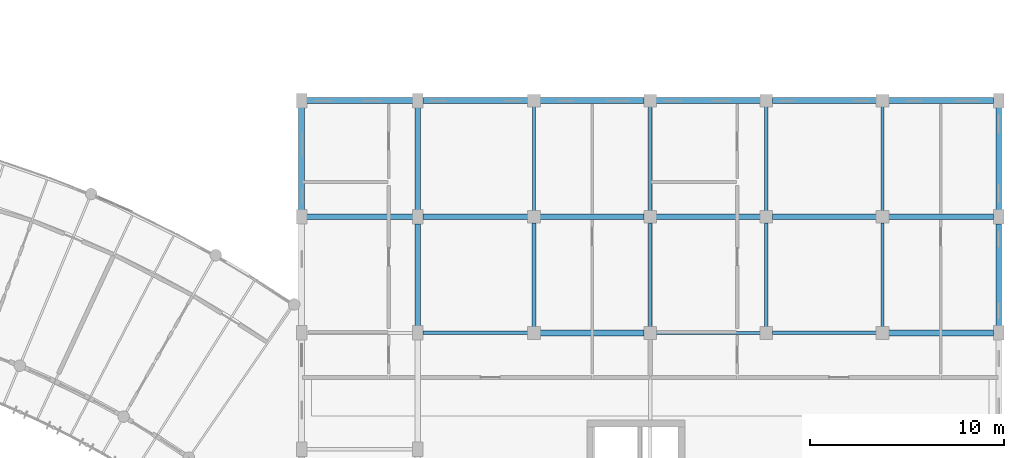
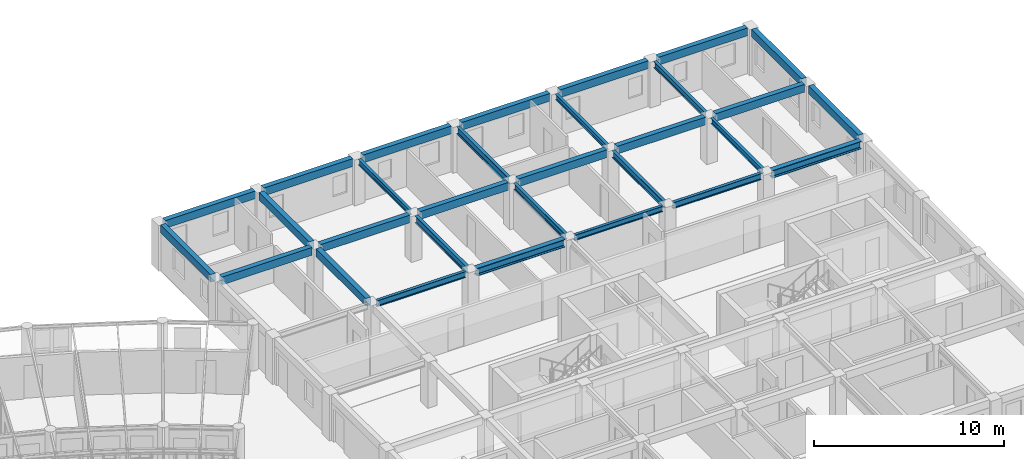
# One storey, part 41 of 100: 30 beams.
"""IFC4 building model written with IfcOpenShell, lengths in metres."""

from ifc_helpers import new_model, si_unit, direction, frame, origin, origin_2d, place, context, subcontext, project, spatial, rectangle, i_section, extrude, material, material_profile, profile_set, type_object, element, save


model = new_model("IFC4")

# Units and contexts
model_context = context("Model", 3, precision=1e-05, world=origin(), true_north=direction((0.0, 1.0)))
body_context = subcontext(model_context, "Body", "Model", "MODEL_VIEW")
ifc_project = project(units=[si_unit("LENGTHUNIT", "METRE"), si_unit("AREAUNIT", "SQUARE_METRE"), si_unit("VOLUMEUNIT", "CUBIC_METRE"), si_unit("PLANEANGLEUNIT", "RADIAN"), si_unit("MASSUNIT", "GRAM", prefix="KILO"), si_unit("POWERUNIT", "WATT"), si_unit("THERMODYNAMICTEMPERATUREUNIT", "KELVIN")], contexts=[model_context])

# Site, building, storey
site_placement = place(None, origin())
site = spatial("IfcSite", under=ifc_project, at=site_placement, CompositionType="ELEMENT")
building_placement = place(site_placement, origin())
building = spatial("IfcBuilding", under=site, at=building_placement, Name="Ruvembo Vaulted Housing Court", CompositionType="ELEMENT")
storey_placement = place(building_placement, frame((0.0, 0.0, 14.10009765625)))
storey = spatial("IfcBuildingStorey", under=building, at=storey_placement, Name="L04", CompositionType="ELEMENT", Elevation=14.10009765625)

# Beams
ifc_material_1 = material(Name="Steel S355J2", Category="steel")
ifc_material_profile_1 = material_profile(ifc_material_1, i_section(OverallWidth=0.300048828125, OverallDepth=0.5, WebThickness=0.014404296875, FlangeThickness=0.028076171875, FilletRadius=0.027099609375, at=origin_2d()), Name="HEB 320")
ifc_profile_set_1 = profile_set([ifc_material_profile_1], Name="Steel S355J2")
beam_type_1 = type_object("IfcBeamType", Name="BM-ST-HEB320", PredefinedType="BEAM", material=ifc_profile_set_1)
beam_1_placement = place(storey_placement, frame((162.31005859375, 96.0, 2.67578125), z_axis=(1.0, 0.0, 0.0), x_axis=(0.0, 1.0, 0.0)))
element("IfcBeam", 1, at=beam_1_placement, inside=storey, type_object=beam_type_1, Name="L04 Grid Beam X #2111", PredefinedType="BEAM", context=body_context, shape_type="SweptSolid", body=[
    extrude(i_section(OverallWidth=0.300048828125, OverallDepth=0.5, WebThickness=0.014404296875, FlangeThickness=0.028076171875, FilletRadius=0.027099609375, at=origin_2d()), origin(), (0.0, 0.0, 1.0), 5.3798828125),
])
beam_2_placement = place(storey_placement, frame((180.31005859375, 96.0, 2.67578125), z_axis=(1.0, 0.0, 0.0), x_axis=(0.0, 1.0, 0.0)))
element("IfcBeam", 2, at=beam_2_placement, inside=storey, type_object=beam_type_1, Name="L04 Grid Beam X #2114", PredefinedType="BEAM", context=body_context, shape_type="SweptSolid", body=[
    extrude(i_section(OverallWidth=0.300048828125, OverallDepth=0.5, WebThickness=0.014404296875, FlangeThickness=0.028076171875, FilletRadius=0.027099609375, at=origin_2d()), origin(), (0.0, 0.0, 1.0), 5.429931640625),
])
ifc_material_profile_2 = material_profile(ifc_material_1, i_section(OverallWidth=0.169921875, OverallDepth=0.360107421875, WebThickness=0.008056640625, FlangeThickness=0.0126953125, FilletRadius=0.01806640625, at=origin_2d()), Name="IPE 360")
ifc_profile_set_2 = profile_set([ifc_material_profile_2], Name="Steel S355J2")
beam_type_2 = type_object("IfcBeamType", Name="BM-ST-IPE360", PredefinedType="BEAM", material=ifc_profile_set_2)
for number, where, z_axis, x_axis, name in (
    (3, (168.31005859375, 96.0, 2.745849609375), (1.0, 0.0, 0.0), (0.0, 1.0, 0.0), "L04 Grid Beam X #2112"),
    (4, (162.0, 102.31005859375, 2.745849609375), (0.0, 1.0, 0.0), (-1.0, 0.0, 0.0), "L04 Grid Beam Y #2265"),
    (5, (174.0, 102.31005859375, 2.745849609375), (0.0, 1.0, 0.0), (-1.0, 0.0, 0.0), "L04 Grid Beam Y #2274"),
    (6, (180.0, 96.31005859375, 2.745849609375), (0.0, 1.0, 0.0), (-1.0, 0.0, 0.0), "L04 Grid Beam Y #2277"),
):
    element("IfcBeam", number, at=place(storey_placement, frame(where, z_axis=z_axis, x_axis=x_axis)), inside=storey, type_object=beam_type_2, Name=name, PredefinedType="BEAM", context=body_context, shape_type="SweptSolid", body=[
        extrude(i_section(OverallWidth=0.169921875, OverallDepth=0.360107421875, WebThickness=0.008056640625, FlangeThickness=0.0126953125, FilletRadius=0.01806640625, at=origin_2d()), origin(), (0.0, 0.0, 1.0), 5.3798828125),
    ])
ifc_material_profile_3 = material_profile(ifc_material_1, i_section(OverallWidth=0.179931640625, OverallDepth=0.39990234375, WebThickness=0.008544921875, FlangeThickness=0.013427734375, FilletRadius=0.02099609375, at=origin_2d()), Name="IPE 400")
ifc_profile_set_3 = profile_set([ifc_material_profile_3], Name="Steel S355J2")
beam_type_3 = type_object("IfcBeamType", Name="BM-ST-IPE400", PredefinedType="BEAM", material=ifc_profile_set_3)
beam_3_placement = place(storey_placement, frame((156.260009765625, 96.0, 2.725830078125), z_axis=(1.0, 0.0, 0.0), x_axis=(0.0, 1.0, 0.0)))
element("IfcBeam", 7, at=beam_3_placement, inside=storey, type_object=beam_type_3, Name="L04 Grid Beam X #2110", PredefinedType="BEAM", context=body_context, shape_type="SweptSolid", body=[
    extrude(i_section(OverallWidth=0.179931640625, OverallDepth=0.39990234375, WebThickness=0.008544921875, FlangeThickness=0.013427734375, FilletRadius=0.02099609375, at=origin_2d()), origin(), (0.0, 0.0, 1.0), 5.429931640625),
])
for number, where, z_axis, x_axis, name in (
    (8, (174.31005859375, 96.0, 2.725830078125), (1.0, 0.0, 0.0), (0.0, 1.0, 0.0), "L04 Grid Beam X #2113"),
    (9, (168.0, 96.31005859375, 2.725830078125), (0.0, 1.0, 0.0), (-1.0, 0.0, 0.0), "L04 Grid Beam Y #2269"),
    (10, (180.0, 102.31005859375, 2.725830078125), (0.0, 1.0, 0.0), (-1.0, 0.0, 0.0), "L04 Grid Beam Y #2278"),
):
    element("IfcBeam", number, at=place(storey_placement, frame(where, z_axis=z_axis, x_axis=x_axis)), inside=storey, type_object=beam_type_3, Name=name, PredefinedType="BEAM", context=body_context, shape_type="SweptSolid", body=[
        extrude(i_section(OverallWidth=0.179931640625, OverallDepth=0.39990234375, WebThickness=0.008544921875, FlangeThickness=0.013427734375, FilletRadius=0.02099609375, at=origin_2d()), origin(), (0.0, 0.0, 1.0), 5.3798828125),
    ])
ifc_material_profile_4 = material_profile(ifc_material_1, i_section(OverallWidth=0.18994140625, OverallDepth=0.449951171875, WebThickness=0.009521484375, FlangeThickness=0.0146484375, FilletRadius=0.02099609375, at=origin_2d()), Name="IPE 450")
ifc_profile_set_4 = profile_set([ifc_material_profile_4], Name="Steel S355J2")
beam_type_4 = type_object("IfcBeamType", Name="BM-ST-IPE450", PredefinedType="BEAM", material=ifc_profile_set_4)
for number, where, z_axis, x_axis, name in (
    (11, (162.0, 96.31005859375, 2.700927734375), (0.0, 1.0, 0.0), (-1.0, 0.0, 0.0), "L04 Grid Beam Y #2264"),
    (12, (168.0, 102.31005859375, 2.700927734375), (0.0, 1.0, 0.0), (-1.0, 0.0, 0.0), "L04 Grid Beam Y #2270"),
    (13, (174.0, 96.31005859375, 2.700927734375), (0.0, 1.0, 0.0), (-1.0, 0.0, 0.0), "L04 Grid Beam Y #2273"),
):
    element("IfcBeam", number, at=place(storey_placement, frame(where, z_axis=z_axis, x_axis=x_axis)), inside=storey, type_object=beam_type_4, Name=name, PredefinedType="BEAM", context=body_context, shape_type="SweptSolid", body=[
        extrude(i_section(OverallWidth=0.18994140625, OverallDepth=0.449951171875, WebThickness=0.009521484375, FlangeThickness=0.0146484375, FilletRadius=0.02099609375, at=origin_2d()), origin(), (0.0, 0.0, 1.0), 5.3798828125),
    ])
ifc_material_2 = material(Name="Concrete C35/45", Category="concrete")
ifc_material_profile_5 = material_profile(ifc_material_2, rectangle(XDim=0.300048828125, YDim=0.5, at=origin_2d()), Name="RC 300x500")
ifc_profile_set_5 = profile_set([ifc_material_profile_5], Name="Concrete C35/45")
beam_type_5 = type_object("IfcBeamType", Name="SP-RC-300x500", PredefinedType="SPANDREL", material=ifc_profile_set_5)
beam_4_placement = place(storey_placement, frame((150.260009765625, 102.0, 2.699951171875), z_axis=(1.0, 0.0, 0.0), x_axis=(0.0, 1.0, 0.0)))
element("IfcBeam", 14, at=beam_4_placement, inside=storey, type_object=beam_type_5, Name="L04 Grid Beam X #2121", PredefinedType="SPANDREL", context=body_context, shape_type="SweptSolid", body=[
    extrude(rectangle(XDim=0.300048828125, YDim=0.5, at=origin_2d()), origin(), (0.0, 0.0, 1.0), 5.47998046875),
])
beam_5_placement = place(storey_placement, frame((156.260009765625, 102.0, 2.699951171875), z_axis=(1.0, 0.0, 0.0), x_axis=(0.0, 1.0, 0.0)))
element("IfcBeam", 15, at=beam_5_placement, inside=storey, type_object=beam_type_5, Name="L04 Grid Beam X #2122", PredefinedType="SPANDREL", context=body_context, shape_type="SweptSolid", body=[
    extrude(rectangle(XDim=0.300048828125, YDim=0.5, at=origin_2d()), origin(), (0.0, 0.0, 1.0), 5.429931640625),
])
for number, where, z_axis, x_axis, name in (
    (16, (162.31005859375, 102.0, 2.699951171875), (1.0, 0.0, 0.0), (0.0, 1.0, 0.0), "L04 Grid Beam X #2123"),
    (17, (168.31005859375, 102.0, 2.699951171875), (1.0, 0.0, 0.0), (0.0, 1.0, 0.0), "L04 Grid Beam X #2124"),
    (18, (174.31005859375, 102.0, 2.699951171875), (1.0, 0.0, 0.0), (0.0, 1.0, 0.0), "L04 Grid Beam X #2125"),
):
    element("IfcBeam", number, at=place(storey_placement, frame(where, z_axis=z_axis, x_axis=x_axis)), inside=storey, type_object=beam_type_5, Name=name, PredefinedType="SPANDREL", context=body_context, shape_type="SweptSolid", body=[
        extrude(rectangle(XDim=0.300048828125, YDim=0.5, at=origin_2d()), origin(), (0.0, 0.0, 1.0), 5.3798828125),
    ])
beam_6_placement = place(storey_placement, frame((180.31005859375, 102.0, 2.699951171875), z_axis=(1.0, 0.0, 0.0), x_axis=(0.0, 1.0, 0.0)))
element("IfcBeam", 19, at=beam_6_placement, inside=storey, type_object=beam_type_5, Name="L04 Grid Beam X #2126", PredefinedType="SPANDREL", context=body_context, shape_type="SweptSolid", body=[
    extrude(rectangle(XDim=0.300048828125, YDim=0.5, at=origin_2d()), origin(), (0.0, 0.0, 1.0), 5.429931640625),
])
beam_7_placement = place(storey_placement, frame((150.260009765625, 108.0, 2.699951171875), z_axis=(1.0, 0.0, 0.0), x_axis=(0.0, 1.0, 0.0)))
element("IfcBeam", 20, at=beam_7_placement, inside=storey, type_object=beam_type_5, Name="L04 Grid Beam X #2133", PredefinedType="SPANDREL", context=body_context, shape_type="SweptSolid", body=[
    extrude(rectangle(XDim=0.300048828125, YDim=0.5, at=origin_2d()), origin(), (0.0, 0.0, 1.0), 5.47998046875),
])
beam_8_placement = place(storey_placement, frame((156.260009765625, 108.0, 2.699951171875), z_axis=(1.0, 0.0, 0.0), x_axis=(0.0, 1.0, 0.0)))
element("IfcBeam", 21, at=beam_8_placement, inside=storey, type_object=beam_type_5, Name="L04 Grid Beam X #2134", PredefinedType="SPANDREL", context=body_context, shape_type="SweptSolid", body=[
    extrude(rectangle(XDim=0.300048828125, YDim=0.5, at=origin_2d()), origin(), (0.0, 0.0, 1.0), 5.429931640625),
])
for number, where, z_axis, x_axis, name in (
    (22, (162.31005859375, 108.0, 2.699951171875), (1.0, 0.0, 0.0), (0.0, 1.0, 0.0), "L04 Grid Beam X #2135"),
    (23, (168.31005859375, 108.0, 2.699951171875), (1.0, 0.0, 0.0), (0.0, 1.0, 0.0), "L04 Grid Beam X #2136"),
    (24, (174.31005859375, 108.0, 2.699951171875), (1.0, 0.0, 0.0), (0.0, 1.0, 0.0), "L04 Grid Beam X #2137"),
):
    element("IfcBeam", number, at=place(storey_placement, frame(where, z_axis=z_axis, x_axis=x_axis)), inside=storey, type_object=beam_type_5, Name=name, PredefinedType="SPANDREL", context=body_context, shape_type="SweptSolid", body=[
        extrude(rectangle(XDim=0.300048828125, YDim=0.5, at=origin_2d()), origin(), (0.0, 0.0, 1.0), 5.3798828125),
    ])
beam_9_placement = place(storey_placement, frame((180.31005859375, 108.0, 2.699951171875), z_axis=(1.0, 0.0, 0.0), x_axis=(0.0, 1.0, 0.0)))
element("IfcBeam", 25, at=beam_9_placement, inside=storey, type_object=beam_type_5, Name="L04 Grid Beam X #2138", PredefinedType="SPANDREL", context=body_context, shape_type="SweptSolid", body=[
    extrude(rectangle(XDim=0.300048828125, YDim=0.5, at=origin_2d()), origin(), (0.0, 0.0, 1.0), 5.429931640625),
])
for number, where, z_axis, x_axis, name in (
    (26, (150.0, 102.360107421875, 2.699951171875), (0.0, 1.0, 0.0), (-1.0, 0.0, 0.0), "L04 Grid Beam Y #2255"),
    (27, (156.0, 96.360107421875, 2.699951171875), (0.0, 1.0, 0.0), (-1.0, 0.0, 0.0), "L04 Grid Beam Y #2260"),
    (28, (156.0, 102.360107421875, 2.699951171875), (0.0, 1.0, 0.0), (-1.0, 0.0, 0.0), "L04 Grid Beam Y #2261"),
    (29, (186.0, 96.360107421875, 2.699951171875), (0.0, 1.0, 0.0), (-1.0, 0.0, 0.0), "L04 Grid Beam Y #2283"),
    (30, (186.0, 102.360107421875, 2.699951171875), (0.0, 1.0, 0.0), (-1.0, 0.0, 0.0), "L04 Grid Beam Y #2284"),
):
    element("IfcBeam", number, at=place(storey_placement, frame(where, z_axis=z_axis, x_axis=x_axis)), inside=storey, type_object=beam_type_5, Name=name, PredefinedType="SPANDREL", context=body_context, shape_type="SweptSolid", body=[
        extrude(rectangle(XDim=0.300048828125, YDim=0.5, at=origin_2d()), origin(), (0.0, 0.0, 1.0), 5.27978515625),
    ])

save(model, "model.ifc")
